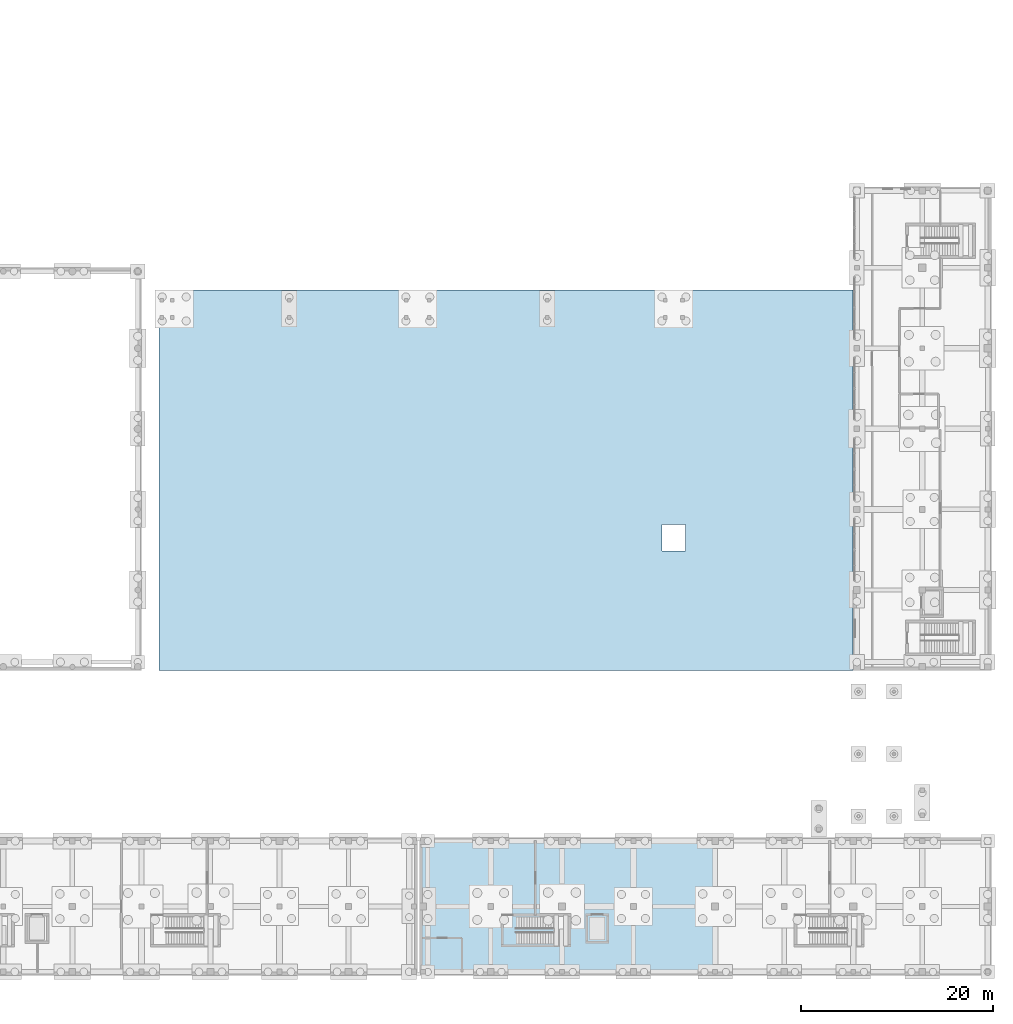
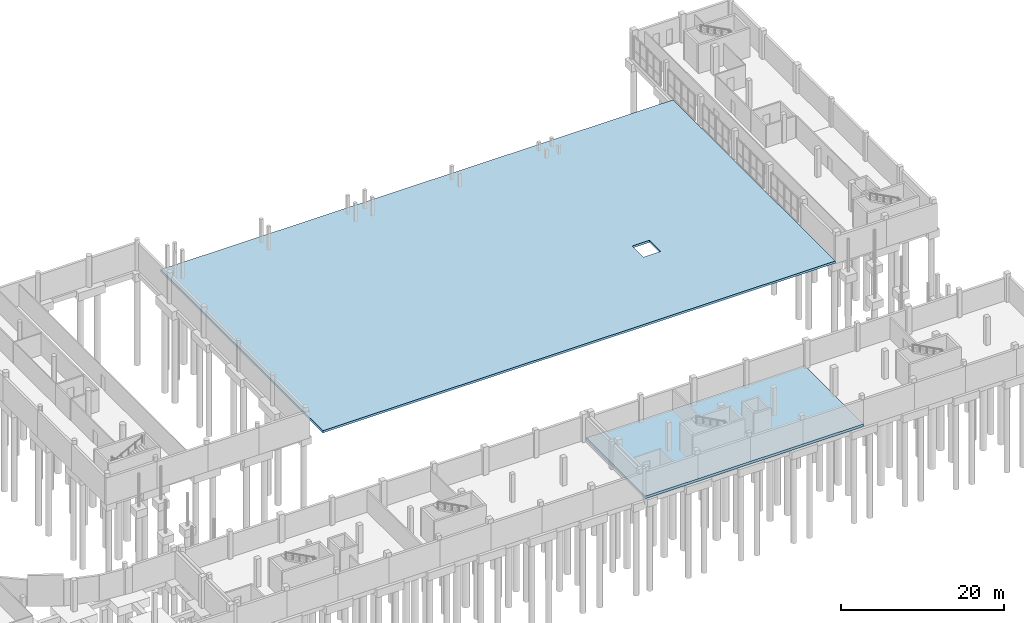
# One storey, part 21 of 41: 2 slabs.
"""IFC4 building model written with IfcOpenShell, lengths in metres."""

from ifc_helpers import new_model, si_unit, direction, frame, origin, place, context, subcontext, project, spatial, polyline, outline, extrude, material, layer, layer_set, type_object, element, save


model = new_model("IFC4")

# Units and contexts
model_context = context("Model", 3, precision=1e-05, world=origin(), true_north=direction((0.0, 1.0)))
body_context = subcontext(model_context, "Body", "Model", "MODEL_VIEW")
ifc_project = project(units=[si_unit("LENGTHUNIT", "METRE"), si_unit("AREAUNIT", "SQUARE_METRE"), si_unit("VOLUMEUNIT", "CUBIC_METRE"), si_unit("PLANEANGLEUNIT", "RADIAN"), si_unit("MASSUNIT", "GRAM", prefix="KILO")], contexts=[model_context])

# Site, building, storey
site_placement = place(None, origin())
site = spatial("IfcSite", under=ifc_project, at=site_placement, CompositionType="ELEMENT")
building_placement = place(site_placement, origin())
building = spatial("IfcBuilding", under=site, at=building_placement, Name="Vardoun Plaza Health Centre", CompositionType="ELEMENT")
storey_placement = place(building_placement, frame((0.0, 0.0, -4.5)))
storey = spatial("IfcBuildingStorey", under=building, at=storey_placement, Name="B1", CompositionType="ELEMENT", Elevation=-4.5)

# Slabs
ifc_material_1 = material(Name="Concrete C35/45", Category="concrete")
ifc_layer_1 = layer(ifc_material_1, 0.320068359375)
ifc_layer_set_1 = layer_set([ifc_layer_1], Name="Concrete C35/45")
slab_type_1 = type_object("IfcSlabType", Name="SL-B3", PredefinedType="USERDEFINED", material=ifc_layer_set_1)
slab_1_placement = place(storey_placement, frame((0.0, 0.0, -0.320068359375)))
element("IfcSlab", 1, at=slab_1_placement, inside=storey, type_object=slab_type_1, Name="Sunken Metro Forecourt Outdoor Plaza Deck", ObjectType="PAVING", PredefinedType="USERDEFINED", context=body_context, shape_type="SweptSolid", body=[
    extrude(outline(polyline([(78.5, 36.300048828125), (150.89990234375, 36.300048828125), (150.89990234375, 76.0), (78.5, 76.0), (78.5, 36.300048828125)]), holes=[polyline([(130.97998046875, 48.780029296875), (133.419921875, 48.780029296875), (133.419921875, 51.5), (130.97998046875, 51.5), (130.97998046875, 48.780029296875)])]), origin(), (0.0, 0.0, 1.0), 0.320068359375),
])
ifc_material_2 = material(Name="Concrete C35/45", Category="concrete")
ifc_layer_2 = layer(ifc_material_2, 0.39990234375)
ifc_layer_set_2 = layer_set([ifc_layer_2], Name="Concrete C35/45")
slab_type_2 = type_object("IfcSlabType", Name="SL-B2", PredefinedType="BASESLAB", material=ifc_layer_set_2)
slab_2_placement = place(storey_placement, frame((0.0, 0.0, -0.39990234375)))
element("IfcSlab", 2, at=slab_2_placement, inside=storey, type_object=slab_type_2, Name="V5 B1 Structural Slab A", PredefinedType="BASESLAB", context=body_context, shape_type="SweptSolid", body=[
    extrude(outline(polyline([(105.659912109375, 4.5), (136.5, 4.5), (136.5, 18.89990234375), (105.659912109375, 18.89990234375), (105.659912109375, 4.5)])), origin(), (0.0, 0.0, 1.0), 0.39990234375),
])

save(model, "model.ifc")
